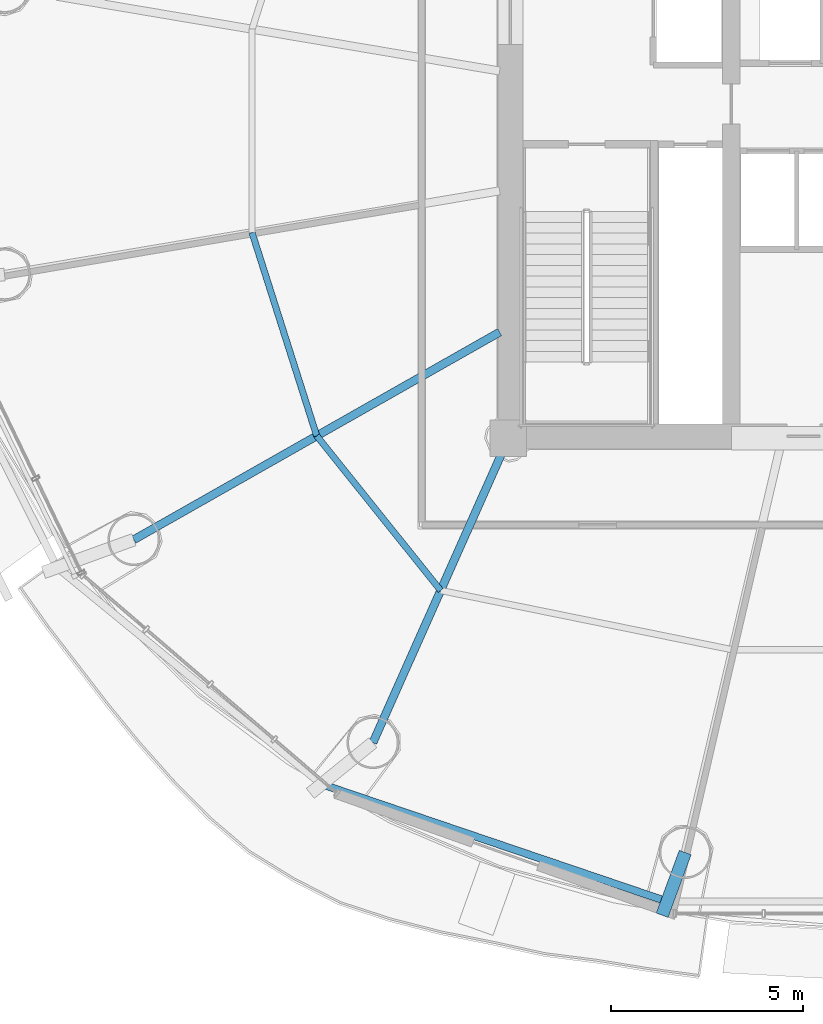
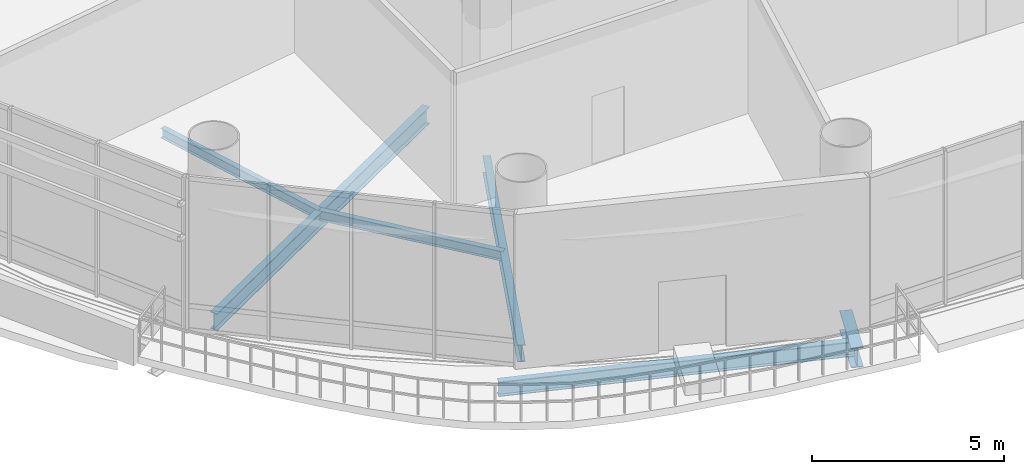
# One storey, part 3 of 29: 6 beams.
"""IFC4 building model written with IfcOpenShell, lengths in metres."""

import ifcopenshell
import ifcopenshell.guid

model = None  # the IFC model being written
_history = None  # IfcOwnerHistory: only IFC2X3 demands one
_inside = {}  # id of a spatial element -> (the spatial element, [elements in it])
_under = {}  # id of a project, library or spatial element -> (it, [spatial elements below it])
_declared = {}  # id of a project -> (the project, [libraries it declares])
_typed = {}  # id of a type object -> (the type object, [elements of that type])
_made_of = {}  # id of a material, layer set ... -> (it, [elements and type objects made of it])


def new_model(schema):
    """Start an empty IFC model of exactly this schema.

    Asked for "IFC4X3", IfcOpenShell would pick the latest addendum, in which some entities
    have other attributes; the version numbers below select the first issue.
    IFC2X3 requires an IfcOwnerHistory on every rooted entity: one is made here for all.
    """
    global model, _history
    if schema == "IFC4X3":
        model = ifcopenshell.file(schema_version=(4, 3, 0, 0))
    else:
        model = ifcopenshell.file(schema=schema)
    _inside.clear()
    _under.clear()
    _declared.clear()
    _typed.clear()
    _made_of.clear()
    _history = None
    if model.schema == "IFC2X3":
        org = make("IfcOrganization", Name="unknown")
        user = make(
            "IfcPersonAndOrganization",
            ThePerson=make("IfcPerson", FamilyName="unknown"),
            TheOrganization=org,
        )
        app = make(
            "IfcApplication",
            ApplicationDeveloper=org,
            Version="unknown",
            ApplicationFullName="unknown",
            ApplicationIdentifier="unknown",
        )
        _history = make(
            "IfcOwnerHistory",
            OwningUser=user,
            OwningApplication=app,
            ChangeAction="ADDED",
            CreationDate=0,
        )
    return model


def make(cls, **values):
    """One entity of the class cls with the attributes given. An attribute that is None is left unset."""
    return model.create_entity(
        cls, **{name: value for name, value in values.items() if value is not None}
    )


def rooted(cls, **values):
    """An entity with a GlobalId (a new one), such as an element, a storey or a relation."""
    return make(cls, GlobalId=ifcopenshell.guid.new(), OwnerHistory=_history, **values)


def si_unit(unit_type, name, prefix=None):
    """IfcSIUnit, for example si_unit("LENGTHUNIT", "METRE", prefix="MILLI")."""
    return make("IfcSIUnit", UnitType=unit_type, Prefix=prefix, Name=name)


def assignment(units):
    """IfcUnitAssignment: the units of a project."""
    return None if units is None else make("IfcUnitAssignment", Units=units)


def point(xyz):
    """IfcCartesianPoint."""
    return None if xyz is None else make("IfcCartesianPoint", Coordinates=xyz)


def direction(xyz):
    """IfcDirection."""
    return None if xyz is None else make("IfcDirection", DirectionRatios=xyz)


def frame(location, z_axis=None, x_axis=None):
    """IfcAxis2Placement3D, a coordinate frame: its origin and axes. An axis left out is left unset."""
    return make(
        "IfcAxis2Placement3D",
        Location=point(location),
        Axis=direction(z_axis),
        RefDirection=direction(x_axis),
    )


def frame_2d(location, x_axis=None):
    """IfcAxis2Placement2D, a coordinate frame in the plane: its origin and x axis."""
    return make(
        "IfcAxis2Placement2D", Location=point(location), RefDirection=direction(x_axis)
    )


def origin():
    """The frame at (0, 0, 0) with its axes left unset."""
    return frame((0.0, 0.0, 0.0))


def origin_2d():
    """The frame at (0, 0) in the plane with its x axis left unset."""
    return frame_2d((0.0, 0.0))


def place(relative_to, where):
    """IfcLocalPlacement: puts the frame where relative to a parent placement (None: the world)."""
    return make(
        "IfcLocalPlacement", PlacementRelTo=relative_to, RelativePlacement=where
    )


def context(
    kind, dimensions, precision=None, world=None, true_north=None, identifier=None
):
    """IfcGeometricRepresentationContext, for example the 3D "Model" context."""
    return make(
        "IfcGeometricRepresentationContext",
        ContextIdentifier=identifier,
        ContextType=kind,
        CoordinateSpaceDimension=dimensions,
        Precision=precision,
        WorldCoordinateSystem=world,
        TrueNorth=true_north,
    )


def subcontext(parent, identifier, kind, view, scale=None):
    """IfcGeometricRepresentationSubContext, for example "Body" below "Model"."""
    return make(
        "IfcGeometricRepresentationSubContext",
        ContextIdentifier=identifier,
        ContextType=kind,
        ParentContext=parent,
        TargetScale=scale,
        TargetView=view,
    )


def project(units=None, contexts=None):
    """IfcProject with its units and contexts."""
    return rooted(
        "IfcProject",
        Name="project",
        RepresentationContexts=contexts,
        UnitsInContext=assignment(units),
    )


def spatial(cls, under=None, at=None, **own):
    """A site, building, storey or space (cls), placed at a placement, below another one or the project."""
    s = rooted(cls, ObjectPlacement=at, **own)
    if under is not None:
        _under.setdefault(under.id(), (under, []))[1].append(s)
    return s


def profile(cls, at=None, kind="AREA", **sizes):
    """A parametric profile (cls). Its sizes go by their IFC names, for example OverallWidth=200.0."""
    return make(cls, ProfileType=kind, Position=at, **sizes)


def i_section(**sizes):
    """IfcIShapeProfileDef."""
    return profile("IfcIShapeProfileDef", **sizes)


def extrude(swept, where, along, depth):
    """IfcExtrudedAreaSolid: the profile swept, set in the frame where, extruded along a direction by depth."""
    return make(
        "IfcExtrudedAreaSolid",
        SweptArea=swept,
        Position=where,
        ExtrudedDirection=direction(along),
        Depth=depth,
    )


def shape(context_of_items, identifier, shape_type, items):
    """IfcShapeRepresentation: the items that make up one representation, for example the "Body"."""
    return make(
        "IfcShapeRepresentation",
        ContextOfItems=context_of_items,
        RepresentationIdentifier=identifier,
        RepresentationType=shape_type,
        Items=items,
    )


def material(Name=None, Category=None):
    """IfcMaterial."""
    return make("IfcMaterial", Name=Name, Category=Category)


def material_profile(
    of_material, cross_section, Name=None, Category=None, Priority=None
):
    """IfcMaterialProfile: a cross section and its material."""
    return make(
        "IfcMaterialProfile",
        Name=Name,
        Material=of_material,
        Profile=cross_section,
        Priority=Priority,
        Category=Category,
    )


def profile_set(profiles, Name=None, composite=None):
    """IfcMaterialProfileSet."""
    return make(
        "IfcMaterialProfileSet",
        Name=Name,
        MaterialProfiles=profiles,
        CompositeProfile=composite,
    )


def made_of(thing, what):
    """Note that an element or type object is made of a material, layer set ...; save() writes the relation."""
    if what is not None:
        _made_of.setdefault(what.id(), (what, []))[1].append(thing)
    return thing


def type_object(cls, material=None, **own):
    """A type object (cls), such as IfcWallType, which elements share."""
    return made_of(rooted(cls, **own), material)


def element(
    cls,
    number,
    at=None,
    inside=None,
    cuts=None,
    type_object=None,
    material=None,
    context=None,
    identifier="Body",
    shape_type=None,
    held_by="IfcProductDefinitionShape",
    body=None,
    shapes=None,
    **own,
):
    """One element of the class cls, such as IfcWall. Its Tag is "e" and its number.

    at: its placement. inside: the storey or other place that contains it. cuts: it is an
    opening in that element (IfcRelVoidsElement). A single representation is given by context,
    identifier, shape_type and body (its items); several are given by shapes. held_by: the class
    of the entity that holds the representations. save() writes the other relations.
    """
    e = rooted(cls, Tag="e%d" % number, ObjectPlacement=at, **own)
    if body is not None:
        shapes = [shape(context, identifier, shape_type, body)]
    if shapes is not None:
        e.Representation = make(held_by, Representations=shapes)
    if inside is not None:
        _inside.setdefault(inside.id(), (inside, []))[1].append(e)
    if cuts is not None:
        rooted(
            "IfcRelVoidsElement", RelatingBuildingElement=cuts, RelatedOpeningElement=e
        )
    if type_object is not None:
        _typed.setdefault(type_object.id(), (type_object, []))[1].append(e)
    return made_of(e, material)


def aggregate(whole, parts):
    """IfcRelAggregates: a whole, such as a stair, and the parts it consists of."""
    return rooted("IfcRelAggregates", RelatingObject=whole, RelatedObjects=parts)


def save(model, path):
    """Write the relations noted so far, then the file.

    IfcRelAggregates (storeys below a building ...), IfcRelContainedInSpatialStructure (elements
    in a storey), IfcRelDefinesByType, IfcRelAssociatesMaterial and IfcRelDeclares: one each for
    every whole, place, type object, material and project.
    """
    for whole, parts in _under.values():
        aggregate(whole, parts)
    for where, things in _inside.values():
        rooted(
            "IfcRelContainedInSpatialStructure",
            RelatedElements=things,
            RelatingStructure=where,
        )
    for kind, things in _typed.values():
        rooted("IfcRelDefinesByType", RelatedObjects=things, RelatingType=kind)
    for what, things in _made_of.values():
        rooted("IfcRelAssociatesMaterial", RelatedObjects=things, RelatingMaterial=what)
    for by, libraries in _declared.values():
        rooted("IfcRelDeclares", RelatingContext=by, RelatedDefinitions=libraries)
    model.write(path)


model = new_model("IFC4")

# Units and contexts
model_context = context("Model", 3, precision=1e-05, world=origin(), true_north=direction((-0.2419218956, 0.970295726276)))
body_context = subcontext(model_context, "Body", "Model", "MODEL_VIEW")
ifc_project = project(units=[si_unit("LENGTHUNIT", "METRE"), si_unit("AREAUNIT", "SQUARE_METRE"), si_unit("VOLUMEUNIT", "CUBIC_METRE"), si_unit("PLANEANGLEUNIT", "RADIAN"), si_unit("MASSUNIT", "GRAM", prefix="KILO")], contexts=[model_context])

# Site, building, storey
site_placement = place(None, origin())
site = spatial("IfcSite", under=ifc_project, at=site_placement, CompositionType="ELEMENT")
building_placement = place(site_placement, origin())
building = spatial("IfcBuilding", under=site, at=building_placement, Name="Cobrevalo Terracotta Tower", CompositionType="ELEMENT")
storey_placement = place(building_placement, frame((0.0, 0.0, 130.199951171875)))
storey = spatial("IfcBuildingStorey", under=building, at=storey_placement, Name="L34", CompositionType="ELEMENT", Elevation=130.199951171875)

# Beams
ifc_material = material(Name="Steel S355", Category="steel")
ifc_material_profile_1 = material_profile(ifc_material, i_section(OverallWidth=0.2109375, OverallDepth=0.5390625, WebThickness=0.01171875, FlangeThickness=0.018798828125, at=origin_2d()), Name="W 530x109")
ifc_profile_set_1 = profile_set([ifc_material_profile_1], Name="Steel S355")
beam_type_1 = type_object("IfcBeamType", Name="Structural Beam W 530x109 (Steel S355)", PredefinedType="BEAM", material=ifc_profile_set_1)
beam_1_placement = place(storey_placement, frame((19.250244140625, 16.160888671875, -0.719482421875), z_axis=(0.869744912936, 0.493501556656, 0.0), x_axis=(-0.493501556656, 0.869744912936, 0.0)))
element("IfcBeam", 1, at=beam_1_placement, inside=storey, type_object=beam_type_1, Name="L34 radial floor girder 10", PredefinedType="BEAM", context=body_context, shape_type="SweptSolid", body=[
    extrude(i_section(OverallWidth=0.2109375, OverallDepth=0.5390625, WebThickness=0.01171875, FlangeThickness=0.018798828125, at=origin_2d()), origin(), (0.0, 0.0, 1.0), 10.945556640625),
])
beam_2_placement = place(storey_placement, frame((25.471923828125, 10.87744140625, -0.719482421875), z_axis=(0.406804395691, 0.913515289224, 0.0), x_axis=(-0.913515289224, 0.406804395691, 0.0)))
element("IfcBeam", 2, at=beam_2_placement, inside=storey, type_object=beam_type_1, Name="L34 radial floor girder 11", PredefinedType="BEAM", context=body_context, shape_type="SweptSolid", body=[
    extrude(i_section(OverallWidth=0.2109375, OverallDepth=0.5390625, WebThickness=0.01171875, FlangeThickness=0.018798828125, at=origin_2d()), origin(), (0.0, 0.0, 1.0), 8.672607421875),
])
ifc_material_profile_2 = material_profile(ifc_material, i_section(OverallWidth=0.3291015625, OverallDepth=0.635009765625, WebThickness=0.017822265625, FlangeThickness=0.031005859375, at=origin_2d()), Name="W 610x241")
ifc_profile_set_2 = profile_set([ifc_material_profile_2], Name="Steel S355")
beam_type_2 = type_object("IfcBeamType", Name="Structural Beam W 610x241 (Steel S355)", PredefinedType="BEAM", material=ifc_profile_set_2)
beam_3_placement = place(storey_placement, frame((33.00146484375, 6.38623046875, -0.767333984375), z_axis=(0.344774532192, 0.938685528786, 0.0), x_axis=(-0.938685528786, 0.344774532192, 0.0)))
element("IfcBeam", 3, at=beam_3_placement, inside=storey, type_object=beam_type_2, Name="L34 setback step-link girder 12", PredefinedType="BEAM", context=body_context, shape_type="SweptSolid", body=[
    extrude(i_section(OverallWidth=0.3291015625, OverallDepth=0.635009765625, WebThickness=0.017822265625, FlangeThickness=0.031005859375, at=origin_2d()), origin(), (0.0, 0.0, 1.0), 1.738525390625),
])
ifc_material_profile_3 = material_profile(ifc_material, i_section(OverallWidth=0.1650390625, OverallDepth=0.31005859375, WebThickness=0.005859375, FlangeThickness=0.009765625, at=origin_2d()), Name="W 310x38.7")
ifc_profile_set_3 = profile_set([ifc_material_profile_3], Name="Steel S355")
beam_type_3 = type_object("IfcBeamType", Name="Structural Joist W 310x38.7 (Steel S355)", PredefinedType="JOIST", material=ifc_profile_set_3)
beam_4_placement = place(storey_placement, frame((22.32666015625, 24.15234375, -0.60498046875), z_axis=(0.303243588226, -0.95291307379, 0.0), x_axis=(0.95291307379, 0.303243588226, 0.0)))
element("IfcBeam", 4, at=beam_4_placement, inside=storey, type_object=beam_type_3, Name="L34 circumferential secondary floor joist 09", PredefinedType="JOIST", context=body_context, shape_type="SweptSolid", body=[
    extrude(i_section(OverallWidth=0.1650390625, OverallDepth=0.31005859375, WebThickness=0.005859375, FlangeThickness=0.009765625, at=origin_2d()), origin(), (0.0, 0.0, 1.0), 5.552001953125),
])
beam_5_placement = place(storey_placement, frame((24.01025390625, 18.86181640625, -0.60498046875), z_axis=(0.625526123133, -0.780203223063, 0.0), x_axis=(0.780203223063, 0.625526123133, 0.0)))
element("IfcBeam", 5, at=beam_5_placement, inside=storey, type_object=beam_type_3, Name="L34 circumferential secondary floor joist 10", PredefinedType="JOIST", context=body_context, shape_type="SweptSolid", body=[
    extrude(i_section(OverallWidth=0.1650390625, OverallDepth=0.31005859375, WebThickness=0.005859375, FlangeThickness=0.009765625, at=origin_2d()), origin(), (0.0, 0.0, 1.0), 5.156494140625),
])
ifc_material_profile_4 = material_profile(ifc_material, i_section(OverallWidth=0.194091796875, OverallDepth=0.468994140625, WebThickness=0.011474609375, FlangeThickness=0.0205078125, at=origin_2d()), Name="W 460x106")
ifc_profile_set_4 = profile_set([ifc_material_profile_4], Name="Steel S355")
beam_type_4 = type_object("IfcBeamType", Name="Structural Spandrel W 460x106 (Steel S355)", PredefinedType="SPANDREL", material=ifc_profile_set_4)
beam_6_placement = place(storey_placement, frame((24.138427734375, 9.79638671875, -0.6845703125), z_axis=(0.94691835344, -0.321474154356, 0.0), x_axis=(0.321474154356, 0.94691835344, 0.0)))
element("IfcBeam", 6, at=beam_6_placement, inside=storey, type_object=beam_type_4, Name="L34 perimeter ring spandrel 11", PredefinedType="SPANDREL", context=body_context, shape_type="SweptSolid", body=[
    extrude(i_section(OverallWidth=0.194091796875, OverallDepth=0.468994140625, WebThickness=0.011474609375, FlangeThickness=0.0205078125, at=origin_2d()), origin(), (0.0, 0.0, 1.0), 9.498291015625),
])

save(model, "model.ifc")
